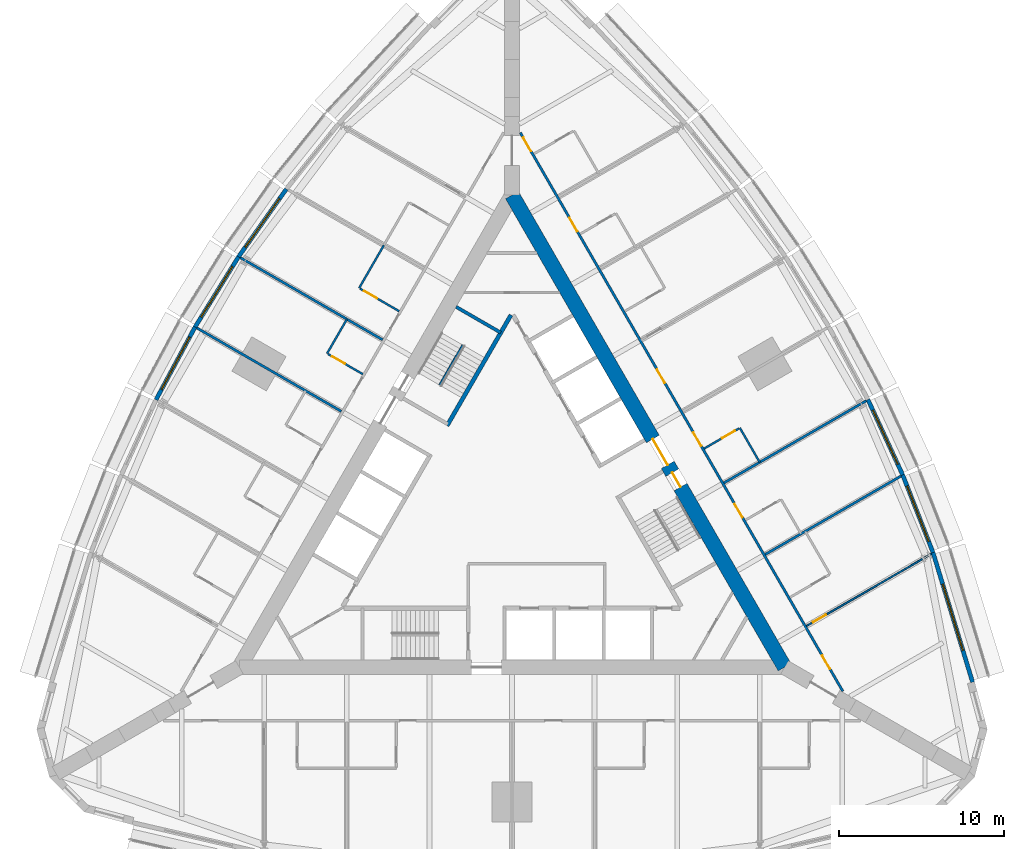
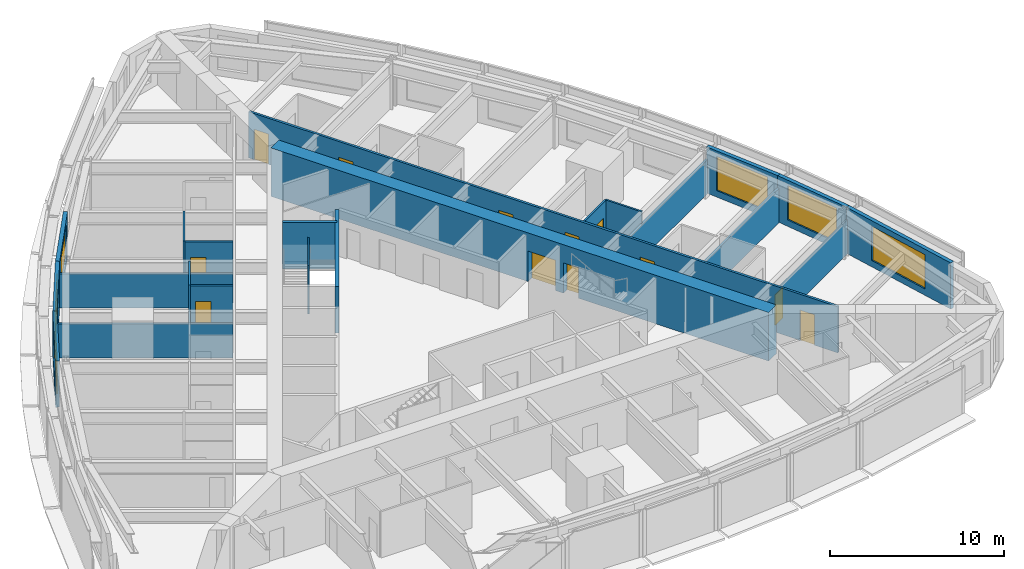
# One storey, part 11 of 14: 22 walls, 12 doors, 6 windows, 18 openings.
"""IFC4 building model written with IfcOpenShell, lengths in metres."""

from ifc_helpers import new_model, si_unit, direction, frame, frame_2d, origin, place, context, subcontext, project, spatial, rectangle, extrude, material, layer, layer_set, type_object, element, fill, save


model = new_model("IFC4")

# Units and contexts
model_context = context("Model", 3, precision=1e-05, world=origin(), true_north=direction((0.0, 1.0)))
body_context = subcontext(model_context, "Body", "Model", "MODEL_VIEW")
ifc_project = project(units=[si_unit("LENGTHUNIT", "METRE"), si_unit("AREAUNIT", "SQUARE_METRE"), si_unit("VOLUMEUNIT", "CUBIC_METRE"), si_unit("PLANEANGLEUNIT", "RADIAN"), si_unit("MASSUNIT", "GRAM", prefix="KILO")], contexts=[model_context])

# Site, building, storey
site_placement = place(None, origin())
site = spatial("IfcSite", under=ifc_project, at=site_placement, CompositionType="ELEMENT")
building_placement = place(site_placement, origin())
building = spatial("IfcBuilding", under=site, at=building_placement, Name="Trikona Tower", CompositionType="ELEMENT")
storey_placement = place(building_placement, frame((0.0, 0.0, 52.300048828125)))
storey = spatial("IfcBuildingStorey", under=building, at=storey_placement, Name="L12", CompositionType="ELEMENT", Elevation=52.300048828125)

# Wall
ifc_material_1 = material(Name="Metal stud and cement board", Category="gypsum")
ifc_layer_1 = layer(ifc_material_1, 0.1201171875)
ifc_layer_set_1 = layer_set([ifc_layer_1], Name="Bathroom wall 120")
wall_type_1 = type_object("IfcWallType", Name="Bathroom wall 120", PredefinedType="PLUMBINGWALL", material=ifc_layer_set_1)
wall_1_placement = place(storey_placement, frame((14.993408203125, 2.883056640625, 0.0), z_axis=(0.0, 0.0, 1.0), x_axis=(-0.500001309137, 0.866024647952, 0.0)))
element("IfcWall", 1, at=wall_1_placement, inside=storey, type_object=wall_type_1, Name="Bathroom wall 1207", PredefinedType="PLUMBINGWALL", context=body_context, shape_type="SweptSolid", body=[
    extrude(rectangle(XDim=2.39990234375, YDim=0.1201171875, at=frame_2d((1.199951171875, 0.0))), origin(), (0.0, 0.0, 1.0), 3.23486328125),
])

# Wall, opening, door
wall_2_placement = place(storey_placement, frame((11.62841796875, 3.71142578125, 0.0), z_axis=(0.0, 0.0, 1.0), x_axis=(0.866048967903, 0.499959183527, 0.0)))
wall_2 = element("IfcWall", 2, at=wall_2_placement, inside=storey, type_object=wall_type_1, Name="Bathroom wall 1207", PredefinedType="PLUMBINGWALL", context=body_context, shape_type="SweptSolid", body=[
    extrude(rectangle(XDim=2.440185546875, YDim=0.1201171875, at=frame_2d((1.22021484375, 0.0))), origin(), (0.0, 0.0, 1.0), 3.23486328125),
])
opening_1_placement = place(wall_2_placement, frame((1.25, 0.0, 0.0)))
opening_1 = element("IfcOpeningElement", 3, at=opening_1_placement, cuts=wall_2, Name="Opening D2", PredefinedType="OPENING", context=body_context, shape_type="SweptSolid", body=[
    extrude(rectangle(XDim=0.89990234375, YDim=2.1298828125, at=frame_2d((0.449951171875, 1.06494140625))), frame((0.0, 0.070068359375, 0.0), z_axis=(0.0, -1.0, 0.0), x_axis=(1.0, 0.0, 0.0)), (0.0, 0.0, 1.0), 0.14013671875),
])
ifc_material_2 = material(Name="Steel door frame with solid-core timber leaf", Category="steel")
door_type_1 = type_object("IfcDoorType", Name="Bathroom door 900x2130", OperationType="SLIDING_TO_LEFT", PredefinedType="DOOR", material=ifc_material_2)
door_1_placement = place(opening_1_placement, origin())
door_1 = element("IfcDoor", 4, at=door_1_placement, inside=storey, type_object=door_type_1, Name="Bathroom door 1207", OperationType="SLIDING_TO_LEFT", OverallHeight=2.1298828125, OverallWidth=0.89990234375, PredefinedType="DOOR", context=body_context, shape_type="SweptSolid", body=[
    extrude(rectangle(XDim=0.89990234375, YDim=2.1298828125, at=frame_2d((0.449951171875, 1.06494140625))), frame((0.0, 0.02490234375, 0.0), z_axis=(0.0, -1.0, 0.0), x_axis=(1.0, 0.0, 0.0)), (0.0, 0.0, 1.0), 0.050048828125),
])
fill(opening_1, door_1)

# Wall
wall_3_placement = place(storey_placement, frame((-7.75341796875, 16.0234375, 0.0), z_axis=(0.0, 0.0, 1.0), x_axis=(-0.499990139034, -0.866031096941, 0.0)))
element("IfcWall", 5, at=wall_3_placement, inside=storey, type_object=wall_type_1, Name="Bathroom wall 1212", PredefinedType="PLUMBINGWALL", context=body_context, shape_type="SweptSolid", body=[
    extrude(rectangle(XDim=3.0, YDim=0.1201171875, at=frame_2d((1.5, 0.0))), origin(), (0.0, 0.0, 1.0), 3.23486328125),
])

# Wall, opening, door
wall_4_placement = place(storey_placement, frame((-6.82861328125, 12.025390625, 0.0), z_axis=(0.0, 0.0, 1.0), x_axis=(-0.866035715982, 0.499982138324, 0.0)))
wall_4 = element("IfcWall", 6, at=wall_4_placement, inside=storey, type_object=wall_type_1, Name="Bathroom wall 1212", PredefinedType="PLUMBINGWALL", context=body_context, shape_type="SweptSolid", body=[
    extrude(rectangle(XDim=2.73974609375, YDim=0.1201171875, at=frame_2d((1.369873046875, 0.0))), origin(), (0.0, 0.0, 1.0), 3.23486328125),
])
opening_2_placement = place(wall_4_placement, frame((1.550048828125, 0.0, 0.0)))
opening_2 = element("IfcOpeningElement", 7, at=opening_2_placement, cuts=wall_4, Name="Opening D2", PredefinedType="OPENING", context=body_context, shape_type="SweptSolid", body=[
    extrude(rectangle(XDim=0.89990234375, YDim=2.1298828125, at=frame_2d((0.449951171875, 1.06494140625))), frame((0.0, 0.070068359375, 0.0), z_axis=(0.0, -1.0, 0.0), x_axis=(1.0, 0.0, 0.0)), (0.0, 0.0, 1.0), 0.14013671875),
])
door_2_placement = place(opening_2_placement, origin())
door_2 = element("IfcDoor", 8, at=door_2_placement, inside=storey, type_object=door_type_1, Name="Bathroom door 1212", OperationType="SLIDING_TO_LEFT", OverallHeight=2.1298828125, OverallWidth=0.89990234375, PredefinedType="DOOR", context=body_context, shape_type="SweptSolid", body=[
    extrude(rectangle(XDim=0.89990234375, YDim=2.1298828125, at=frame_2d((0.449951171875, 1.06494140625))), frame((0.0, 0.02490234375, 0.0), z_axis=(0.0, -1.0, 0.0), x_axis=(1.0, 0.0, 0.0)), (0.0, 0.0, 1.0), 0.050048828125),
])
fill(opening_2, door_2)

# Wall
wall_5_placement = place(storey_placement, frame((-9.993408203125, 11.543212890625, 0.0), z_axis=(0.0, 0.0, 1.0), x_axis=(-0.500077600433, -0.865980596518, 0.0)))
element("IfcWall", 9, at=wall_5_placement, inside=storey, type_object=wall_type_1, Name="Bathroom wall 1213", PredefinedType="PLUMBINGWALL", context=body_context, shape_type="SweptSolid", body=[
    extrude(rectangle(XDim=2.39990234375, YDim=0.1201171875, at=frame_2d((1.199951171875, 0.0))), origin(), (0.0, 0.0, 1.0), 3.23486328125),
])

# Wall, opening, door
wall_6_placement = place(storey_placement, frame((-9.028564453125, 8.21484375, 0.0), z_axis=(0.0, 0.0, 1.0), x_axis=(-0.866023955769, 0.500002508028, 0.0)))
wall_6 = element("IfcWall", 10, at=wall_6_placement, inside=storey, type_object=wall_type_1, Name="Bathroom wall 1213", PredefinedType="PLUMBINGWALL", context=body_context, shape_type="SweptSolid", body=[
    extrude(rectangle(XDim=2.43994140625, YDim=0.1201171875, at=frame_2d((1.219970703125, 0.0))), origin(), (0.0, 0.0, 1.0), 3.23486328125),
])
opening_3_placement = place(wall_6_placement, frame((1.25, 0.0, 0.0)))
opening_3 = element("IfcOpeningElement", 11, at=opening_3_placement, cuts=wall_6, Name="Opening D2", PredefinedType="OPENING", context=body_context, shape_type="SweptSolid", body=[
    extrude(rectangle(XDim=0.89990234375, YDim=2.1298828125, at=frame_2d((0.449951171875, 1.06494140625))), frame((0.0, 0.070068359375, 0.0), z_axis=(0.0, -1.0, 0.0), x_axis=(1.0, 0.0, 0.0)), (0.0, 0.0, 1.0), 0.14013671875),
])
door_3_placement = place(opening_3_placement, origin())
door_3 = element("IfcDoor", 12, at=door_3_placement, inside=storey, type_object=door_type_1, Name="Bathroom door 1213", OperationType="SLIDING_TO_LEFT", OverallHeight=2.1298828125, OverallWidth=0.89990234375, PredefinedType="DOOR", context=body_context, shape_type="SweptSolid", body=[
    extrude(rectangle(XDim=0.89990234375, YDim=2.1298828125, at=frame_2d((0.449951171875, 1.06494140625))), frame((0.0, 0.02490234375, 0.0), z_axis=(0.0, -1.0, 0.0), x_axis=(1.0, 0.0, 0.0)), (0.0, 0.0, 1.0), 0.050048828125),
])
fill(opening_3, door_3)

# Wall, openings, doors
ifc_material_3 = material(Name="Concrete f'c 10000 psi", Category="concrete")
ifc_layer_2 = layer(ifc_material_3, 0.89990234375)
ifc_layer_set_2 = layer_set([ifc_layer_2], Name="Core wall 900")
wall_type_2 = type_object("IfcWallType", Name="Core wall 900", PredefinedType="SHEAR", material=ifc_layer_set_2)
wall_7_placement = place(storey_placement, frame((16.5, -9.5263671875, 0.0), z_axis=(0.0, 0.0, 1.0), x_axis=(-0.499999749417, 0.866025548458, 0.0)))
wall_7 = element("IfcWall", 13, at=wall_7_placement, inside=storey, type_object=wall_type_2, Name="Core wall B", PredefinedType="SHEAR", context=body_context, shape_type="SweptSolid", body=[
    extrude(rectangle(XDim=33.0, YDim=0.89990234375, at=frame_2d((16.5, 0.0))), origin(), (0.0, 0.0, 1.0), 3.39990234375),
])
opening_4_placement = place(wall_7_placement, frame((14.14990234375, 0.0, 0.0)))
opening_4 = element("IfcOpeningElement", 14, at=opening_4_placement, cuts=wall_7, Name="Opening D6", PredefinedType="OPENING", context=body_context, shape_type="SweptSolid", body=[
    extrude(rectangle(XDim=1.800048828125, YDim=2.1298828125, at=frame_2d((0.89990234375, 1.06494140625))), frame((0.0, 0.4599609375, 0.0), z_axis=(0.0, -1.0, 0.0), x_axis=(1.0, 0.0, 0.0)), (0.0, 0.0, 1.0), 0.919921875),
])
opening_5_placement = place(wall_7_placement, frame((12.60009765625, 0.0, 0.0)))
opening_5 = element("IfcOpeningElement", 15, at=opening_5_placement, cuts=wall_7, Name="Opening D5", PredefinedType="OPENING", context=body_context, shape_type="SweptSolid", body=[
    extrude(rectangle(XDim=1.0, YDim=2.1298828125, at=frame_2d((0.5, 1.06494140625))), frame((0.0, 0.4599609375, 0.0), z_axis=(0.0, -1.0, 0.0), x_axis=(1.0, 0.0, 0.0)), (0.0, 0.0, 1.0), 0.919921875),
])
ifc_material_4 = material(Name="Hollow metal door and frame", Category="steel")
door_type_2 = type_object("IfcDoorType", Name="Lobby door pair 1800x2130", OperationType="DOUBLE_DOOR_SINGLE_SWING", PredefinedType="DOOR", material=ifc_material_4)
door_4_placement = place(opening_4_placement, origin())
door_4 = element("IfcDoor", 16, at=door_4_placement, inside=storey, type_object=door_type_2, Name="Lift lobby door B", OperationType="DOUBLE_DOOR_SINGLE_SWING", OverallHeight=2.1298828125, OverallWidth=1.800048828125, PredefinedType="DOOR", context=body_context, shape_type="SweptSolid", body=[
    extrude(rectangle(XDim=1.800048828125, YDim=2.1298828125, at=frame_2d((0.89990234375, 1.06494140625))), frame((0.0, 0.02490234375, 0.0), z_axis=(0.0, -1.0, 0.0), x_axis=(1.0, 0.0, 0.0)), (0.0, 0.0, 1.0), 0.050048828125),
])
fill(opening_4, door_4)
ifc_material_5 = material(Name="Hollow metal door and frame", Category="steel")
door_type_3 = type_object("IfcDoorType", Name="Stair door 1000x2130", OperationType="SINGLE_SWING_LEFT", PredefinedType="DOOR", material=ifc_material_5)
door_5_placement = place(opening_5_placement, origin())
door_5 = element("IfcDoor", 17, at=door_5_placement, inside=storey, type_object=door_type_3, Name="Stair B door", OperationType="SINGLE_SWING_RIGHT", OverallHeight=2.1298828125, OverallWidth=1.0, PredefinedType="DOOR", context=body_context, shape_type="SweptSolid", body=[
    extrude(rectangle(XDim=1.0, YDim=2.1298828125, at=frame_2d((0.5, 1.06494140625))), frame((0.0, 0.02490234375, 0.0), z_axis=(0.0, -1.0, 0.0), x_axis=(1.0, 0.0, 0.0)), (0.0, 0.0, 1.0), 0.050048828125),
])
fill(opening_5, door_5)

ifc_material_6 = material(Name="Metal stud and gypsum board, 1-hour", Category="gypsum")
ifc_layer_3 = layer(ifc_material_6, 0.14990234375)
ifc_layer_set_3 = layer_set([ifc_layer_3], Name="Corridor wall 150")
wall_type_3 = type_object("IfcWallType", Name="Corridor wall 150", PredefinedType="PARTITIONING", material=ifc_layer_set_3)
wall_8_placement = place(storey_placement, frame((20.027099609375, -10.9853515625, 0.0), z_axis=(0.0, 0.0, 1.0), x_axis=(-0.500001677587, 0.866024435227, 0.0)))
wall_8 = element("IfcWall", 18, at=wall_8_placement, inside=storey, type_object=wall_type_3, Name="Corridor wall L12-2", PredefinedType="PARTITIONING", context=body_context, shape_type="SweptSolid", body=[
    extrude(rectangle(XDim=39.053955078125, YDim=0.14990234375, at=frame_2d((19.52685546875, 0.0))), origin(), (0.0, 0.0, 1.0), 3.23486328125),
])
opening_6_placement = place(wall_8_placement, frame((1.558349609375, 0.0, 0.0)))
opening_6 = element("IfcOpeningElement", 19, at=opening_6_placement, cuts=wall_8, Name="Opening D1", PredefinedType="OPENING", context=body_context, shape_type="SweptSolid", body=[
    extrude(rectangle(XDim=0.949951171875, YDim=2.1298828125, at=frame_2d((0.47509765625, 1.06494140625))), frame((0.0, 0.0849609375, 0.0), z_axis=(0.0, -1.0, 0.0), x_axis=(1.0, 0.0, 0.0)), (0.0, 0.0, 1.0), 0.169921875),
])
opening_7_placement = place(wall_8_placement, frame((12.152099609375, 0.0, 0.0)))
opening_7 = element("IfcOpeningElement", 20, at=opening_7_placement, cuts=wall_8, Name="Opening D1", PredefinedType="OPENING", context=body_context, shape_type="SweptSolid", body=[
    extrude(rectangle(XDim=0.949951171875, YDim=2.1298828125, at=frame_2d((0.47509765625, 1.06494140625))), frame((0.0, 0.0849609375, 0.0), z_axis=(0.0, -1.0, 0.0), x_axis=(1.0, 0.0, 0.0)), (0.0, 0.0, 1.0), 0.169921875),
])
opening_8_placement = place(wall_8_placement, frame((17.152099609375, 0.0, 0.0)))
opening_8 = element("IfcOpeningElement", 21, at=opening_8_placement, cuts=wall_8, Name="Opening D1", PredefinedType="OPENING", context=body_context, shape_type="SweptSolid", body=[
    extrude(rectangle(XDim=0.949951171875, YDim=2.1298828125, at=frame_2d((0.47509765625, 1.06494140625))), frame((0.0, 0.0849609375, 0.0), z_axis=(0.0, -1.0, 0.0), x_axis=(1.0, 0.0, 0.0)), (0.0, 0.0, 1.0), 0.169921875),
])
opening_9_placement = place(wall_8_placement, frame((21.552001953125, 0.0, 0.0)))
opening_9 = element("IfcOpeningElement", 22, at=opening_9_placement, cuts=wall_8, Name="Opening D1", PredefinedType="OPENING", context=body_context, shape_type="SweptSolid", body=[
    extrude(rectangle(XDim=0.949951171875, YDim=2.1298828125, at=frame_2d((0.47509765625, 1.06494140625))), frame((0.0, 0.0849609375, 0.0), z_axis=(0.0, -1.0, 0.0), x_axis=(1.0, 0.0, 0.0)), (0.0, 0.0, 1.0), 0.169921875),
])
opening_10_placement = place(wall_8_placement, frame((32.152099609375, 0.0, 0.0)))
opening_10 = element("IfcOpeningElement", 23, at=opening_10_placement, cuts=wall_8, Name="Opening D1", PredefinedType="OPENING", context=body_context, shape_type="SweptSolid", body=[
    extrude(rectangle(XDim=0.949951171875, YDim=2.1298828125, at=frame_2d((0.47509765625, 1.06494140625))), frame((0.0, 0.0849609375, 0.0), z_axis=(0.0, -1.0, 0.0), x_axis=(1.0, 0.0, 0.0)), (0.0, 0.0, 1.0), 0.169921875),
])
opening_11_placement = place(wall_8_placement, frame((37.751953125, 0.0, 0.0)))
opening_11 = element("IfcOpeningElement", 24, at=opening_11_placement, cuts=wall_8, Name="Opening D1", PredefinedType="OPENING", context=body_context, shape_type="SweptSolid", body=[
    extrude(rectangle(XDim=0.949951171875, YDim=2.1298828125, at=frame_2d((0.47509765625, 1.06494140625))), frame((0.0, 0.0849609375, 0.0), z_axis=(0.0, -1.0, 0.0), x_axis=(1.0, 0.0, 0.0)), (0.0, 0.0, 1.0), 0.169921875),
])
ifc_material_7 = material(Name="Steel door frame with solid-core timber leaf", Category="steel")
door_type_4 = type_object("IfcDoorType", Name="Guest room door 950x2130", OperationType="SINGLE_SWING_LEFT", PredefinedType="DOOR", material=ifc_material_7)
door_6_placement = place(opening_6_placement, origin())
door_6 = element("IfcDoor", 25, at=door_6_placement, inside=storey, type_object=door_type_4, Name="Room door 1205", OperationType="SINGLE_SWING_LEFT", OverallHeight=2.1298828125, OverallWidth=0.949951171875, PredefinedType="DOOR", context=body_context, shape_type="SweptSolid", body=[
    extrude(rectangle(XDim=0.949951171875, YDim=2.1298828125, at=frame_2d((0.47509765625, 1.06494140625))), frame((0.0, 0.02490234375, 0.0), z_axis=(0.0, -1.0, 0.0), x_axis=(1.0, 0.0, 0.0)), (0.0, 0.0, 1.0), 0.050048828125),
])
fill(opening_6, door_6)
door_7_placement = place(opening_7_placement, origin())
door_7 = element("IfcDoor", 26, at=door_7_placement, inside=storey, type_object=door_type_4, Name="Room door 1206", OperationType="SINGLE_SWING_RIGHT", OverallHeight=2.1298828125, OverallWidth=0.949951171875, PredefinedType="DOOR", context=body_context, shape_type="SweptSolid", body=[
    extrude(rectangle(XDim=0.949951171875, YDim=2.1298828125, at=frame_2d((0.47509765625, 1.06494140625))), frame((0.0, 0.02490234375, 0.0), z_axis=(0.0, -1.0, 0.0), x_axis=(1.0, 0.0, 0.0)), (0.0, 0.0, 1.0), 0.050048828125),
])
fill(opening_7, door_7)
door_8_placement = place(opening_8_placement, origin())
door_8 = element("IfcDoor", 27, at=door_8_placement, inside=storey, type_object=door_type_4, Name="Room door 1207", OperationType="SINGLE_SWING_LEFT", OverallHeight=2.1298828125, OverallWidth=0.949951171875, PredefinedType="DOOR", context=body_context, shape_type="SweptSolid", body=[
    extrude(rectangle(XDim=0.949951171875, YDim=2.1298828125, at=frame_2d((0.47509765625, 1.06494140625))), frame((0.0, 0.02490234375, 0.0), z_axis=(0.0, -1.0, 0.0), x_axis=(1.0, 0.0, 0.0)), (0.0, 0.0, 1.0), 0.050048828125),
])
fill(opening_8, door_8)
door_9_placement = place(opening_9_placement, origin())
door_9 = element("IfcDoor", 28, at=door_9_placement, inside=storey, type_object=door_type_4, Name="Room door 1208", OperationType="SINGLE_SWING_RIGHT", OverallHeight=2.1298828125, OverallWidth=0.949951171875, PredefinedType="DOOR", context=body_context, shape_type="SweptSolid", body=[
    extrude(rectangle(XDim=0.949951171875, YDim=2.1298828125, at=frame_2d((0.47509765625, 1.06494140625))), frame((0.0, 0.02490234375, 0.0), z_axis=(0.0, -1.0, 0.0), x_axis=(1.0, 0.0, 0.0)), (0.0, 0.0, 1.0), 0.050048828125),
])
fill(opening_9, door_9)
door_10_placement = place(opening_10_placement, origin())
door_10 = element("IfcDoor", 29, at=door_10_placement, inside=storey, type_object=door_type_4, Name="Room door 1209", OperationType="SINGLE_SWING_LEFT", OverallHeight=2.1298828125, OverallWidth=0.949951171875, PredefinedType="DOOR", context=body_context, shape_type="SweptSolid", body=[
    extrude(rectangle(XDim=0.949951171875, YDim=2.1298828125, at=frame_2d((0.47509765625, 1.06494140625))), frame((0.0, 0.02490234375, 0.0), z_axis=(0.0, -1.0, 0.0), x_axis=(1.0, 0.0, 0.0)), (0.0, 0.0, 1.0), 0.050048828125),
])
fill(opening_10, door_10)
door_11_placement = place(opening_11_placement, origin())
door_11 = element("IfcDoor", 30, at=door_11_placement, inside=storey, type_object=door_type_4, Name="Room door 1210", OperationType="SINGLE_SWING_RIGHT", OverallHeight=2.1298828125, OverallWidth=0.949951171875, PredefinedType="DOOR", context=body_context, shape_type="SweptSolid", body=[
    extrude(rectangle(XDim=0.949951171875, YDim=2.1298828125, at=frame_2d((0.47509765625, 1.06494140625))), frame((0.0, 0.02490234375, 0.0), z_axis=(0.0, -1.0, 0.0), x_axis=(1.0, 0.0, 0.0)), (0.0, 0.0, 1.0), 0.050048828125),
])
fill(opening_11, door_11)

# Wall
ifc_material_8 = material(Name="Concrete f'c 8000 psi", Category="concrete")
ifc_layer_4 = layer(ifc_material_8, 0.25)
ifc_layer_set_4 = layer_set([ifc_layer_4], Name="Hub wall 250")
wall_type_4 = type_object("IfcWallType", Name="Hub wall 250", PredefinedType="SOLIDWALL", material=ifc_layer_set_4)
wall_9_placement = place(storey_placement, frame((-0.0625, 11.794189453125, 0.0), z_axis=(0.0, 0.0, 1.0), x_axis=(-0.500006680225, -0.86602154692, 0.0)))
element("IfcWall", 31, at=wall_9_placement, inside=storey, type_object=wall_type_4, Name="Lift lobby wall C1", PredefinedType="SOLIDWALL", context=body_context, shape_type="SweptSolid", body=[
    extrude(rectangle(XDim=7.73291015625, YDim=0.25, at=frame_2d((3.866455078125, 0.0))), origin(), (0.0, 0.0, 1.0), 3.23486328125),
])

# Wall, opening, window
ifc_material_9 = material(Name="Insulated precast concrete spandrel panel", Category="concrete")
ifc_layer_5 = layer(ifc_material_9, 0.25)
ifc_layer_set_5 = layer_set([ifc_layer_5], Name="Inner skin wall 250")
wall_type_5 = type_object("IfcWallType", Name="Inner skin wall 250", PredefinedType="STANDARD", material=ifc_layer_set_5)
wall_10_placement = place(storey_placement, frame((27.88037109375, -10.4287109375, 0.0), z_axis=(0.0, 0.0, 1.0), x_axis=(-0.2919790669, 0.956424709265, 0.0)))
wall_10 = element("IfcWall", 32, at=wall_10_placement, inside=storey, type_object=wall_type_5, Name="External wall L12-12", PredefinedType="STANDARD", context=body_context, shape_type="SweptSolid", body=[
    extrude(rectangle(XDim=8.211181640625, YDim=0.25, at=frame_2d((4.10546875, 0.0))), origin(), (0.0, 0.0, 1.0), 3.23486328125),
])
opening_12_placement = place(wall_10_placement, frame((2.005615234375, 0.0, 0.449951171875)))
opening_12 = element("IfcOpeningElement", 33, at=opening_12_placement, cuts=wall_10, Name="Opening W4224", PredefinedType="OPENING", context=body_context, shape_type="SweptSolid", body=[
    extrude(rectangle(XDim=4.199951171875, YDim=2.39990234375, at=frame_2d((2.10009765625, 1.199951171875))), frame((0.0, 0.135009765625, 0.0), z_axis=(0.0, -1.0, 0.0), x_axis=(1.0, 0.0, 0.0)), (0.0, 0.0, 1.0), 0.27001953125),
])
ifc_material_10 = material(Name="Aluminium-framed double glazing", Category="aluminium")
window_type_1 = type_object("IfcWindowType", Name="Window 4200x2400", PartitioningType="SINGLE_PANEL", PredefinedType="WINDOW", material=ifc_material_10)
window_1_placement = place(opening_12_placement, origin())
window_1 = element("IfcWindow", 34, at=window_1_placement, inside=storey, type_object=window_type_1, Name="Window 1205", OverallHeight=2.39990234375, OverallWidth=4.199951171875, PartitioningType="SINGLE_PANEL", PredefinedType="WINDOW", context=body_context, shape_type="SweptSolid", body=[
    extrude(rectangle(XDim=4.199951171875, YDim=2.39990234375, at=frame_2d((2.10009765625, 1.199951171875))), frame((0.0, 0.030029296875, 0.0), z_axis=(0.0, -1.0, 0.0), x_axis=(1.0, 0.0, 0.0)), (0.0, 0.0, 1.0), 0.06005859375),
])
fill(opening_12, window_1)

wall_11_placement = place(storey_placement, frame((25.486083984375, -2.58447265625, 0.0), z_axis=(0.0, 0.0, 1.0), x_axis=(-0.364013463868, 0.931393685894, 0.0)))
wall_11 = element("IfcWall", 35, at=wall_11_placement, inside=storey, type_object=wall_type_5, Name="External wall L12-13", PredefinedType="STANDARD", context=body_context, shape_type="SweptSolid", body=[
    extrude(rectangle(XDim=5.0576171875, YDim=0.25, at=frame_2d((2.52880859375, 0.0))), origin(), (0.0, 0.0, 1.0), 3.23486328125),
])
opening_13_placement = place(wall_11_placement, frame((0.728759765625, 0.0, 0.449951171875)))
opening_13 = element("IfcOpeningElement", 36, at=opening_13_placement, cuts=wall_11, Name="Opening W3624", PredefinedType="OPENING", context=body_context, shape_type="SweptSolid", body=[
    extrude(rectangle(XDim=3.60009765625, YDim=2.39990234375, at=frame_2d((1.800048828125, 1.199951171875))), frame((0.0, 0.135009765625, 0.0), z_axis=(0.0, -1.0, 0.0), x_axis=(1.0, 0.0, 0.0)), (0.0, 0.0, 1.0), 0.27001953125),
])
ifc_material_11 = material(Name="Aluminium-framed double glazing", Category="aluminium")
window_type_2 = type_object("IfcWindowType", Name="Window 3600x2400", PartitioningType="SINGLE_PANEL", PredefinedType="WINDOW", material=ifc_material_11)
window_2_placement = place(opening_13_placement, origin())
window_2 = element("IfcWindow", 37, at=window_2_placement, inside=storey, type_object=window_type_2, Name="Window 1205.1", OverallHeight=2.39990234375, OverallWidth=3.60009765625, PartitioningType="SINGLE_PANEL", PredefinedType="WINDOW", context=body_context, shape_type="SweptSolid", body=[
    extrude(rectangle(XDim=3.60009765625, YDim=2.39990234375, at=frame_2d((1.800048828125, 1.199951171875))), frame((0.0, 0.030029296875, 0.0), z_axis=(0.0, -1.0, 0.0), x_axis=(1.0, 0.0, 0.0)), (0.0, 0.0, 1.0), 0.06005859375),
])
fill(opening_13, window_2)

wall_12_placement = place(storey_placement, frame((23.64794921875, 2.119384765625, 0.0), z_axis=(0.0, 0.0, 1.0), x_axis=(-0.419203100754, 0.907892482796, 0.0)))
wall_12 = element("IfcWall", 38, at=wall_12_placement, inside=storey, type_object=wall_type_5, Name="External wall L12-14", PredefinedType="STANDARD", context=body_context, shape_type="SweptSolid", body=[
    extrude(rectangle(XDim=5.020751953125, YDim=0.25, at=frame_2d((2.51025390625, 0.0))), origin(), (0.0, 0.0, 1.0), 3.23486328125),
])
opening_14_placement = place(wall_12_placement, frame((0.71044921875, 0.0, 0.449951171875)))
opening_14 = element("IfcOpeningElement", 39, at=opening_14_placement, cuts=wall_12, Name="Opening W3624", PredefinedType="OPENING", context=body_context, shape_type="SweptSolid", body=[
    extrude(rectangle(XDim=3.60009765625, YDim=2.39990234375, at=frame_2d((1.800048828125, 1.199951171875))), frame((0.0, 0.135009765625, 0.0), z_axis=(0.0, -1.0, 0.0), x_axis=(1.0, 0.0, 0.0)), (0.0, 0.0, 1.0), 0.27001953125),
])
window_3_placement = place(opening_14_placement, origin())
window_3 = element("IfcWindow", 40, at=window_3_placement, inside=storey, type_object=window_type_2, Name="Window 1206", OverallHeight=2.39990234375, OverallWidth=3.60009765625, PartitioningType="SINGLE_PANEL", PredefinedType="WINDOW", context=body_context, shape_type="SweptSolid", body=[
    extrude(rectangle(XDim=3.60009765625, YDim=2.39990234375, at=frame_2d((1.800048828125, 1.199951171875))), frame((0.0, 0.030029296875, 0.0), z_axis=(0.0, -1.0, 0.0), x_axis=(1.0, 0.0, 0.0)), (0.0, 0.0, 1.0), 0.06005859375),
])
fill(opening_14, window_3)

wall_13_placement = place(storey_placement, frame((-13.659423828125, 19.420166015625, 0.0), z_axis=(0.0, 0.0, 1.0), x_axis=(-0.5766431066, -0.81699616132, 0.0)))
wall_13 = element("IfcWall", 41, at=wall_13_placement, inside=storey, type_object=wall_type_5, Name="External wall L12-26", PredefinedType="STANDARD", context=body_context, shape_type="SweptSolid", body=[
    extrude(rectangle(XDim=5.02099609375, YDim=0.25, at=frame_2d((2.510498046875, 0.0))), origin(), (0.0, 0.0, 1.0), 3.23486328125),
])
opening_15_placement = place(wall_13_placement, frame((0.71044921875, 0.0, 0.449951171875)))
opening_15 = element("IfcOpeningElement", 42, at=opening_15_placement, cuts=wall_13, Name="Opening W3624", PredefinedType="OPENING", context=body_context, shape_type="SweptSolid", body=[
    extrude(rectangle(XDim=3.60009765625, YDim=2.39990234375, at=frame_2d((1.800048828125, 1.199951171875))), frame((0.0, 0.135009765625, 0.0), z_axis=(0.0, -1.0, 0.0), x_axis=(1.0, 0.0, 0.0)), (0.0, 0.0, 1.0), 0.27001953125),
])
window_4_placement = place(opening_15_placement, origin())
window_4 = element("IfcWindow", 43, at=window_4_placement, inside=storey, type_object=window_type_2, Name="Window 1212", OverallHeight=2.39990234375, OverallWidth=3.60009765625, PartitioningType="SINGLE_PANEL", PredefinedType="WINDOW", context=body_context, shape_type="SweptSolid", body=[
    extrude(rectangle(XDim=3.60009765625, YDim=2.39990234375, at=frame_2d((1.800048828125, 1.199951171875))), frame((0.0, 0.030029296875, 0.0), z_axis=(0.0, -1.0, 0.0), x_axis=(1.0, 0.0, 0.0)), (0.0, 0.0, 1.0), 0.06005859375),
])
fill(opening_15, window_4)

wall_14_placement = place(storey_placement, frame((-16.550537109375, 15.324462890625, 0.0), z_axis=(0.0, 0.0, 1.0), x_axis=(-0.526132807704, -0.850402415717, 0.0)))
wall_14 = element("IfcWall", 44, at=wall_14_placement, inside=storey, type_object=wall_type_5, Name="External wall L12-27", PredefinedType="STANDARD", context=body_context, shape_type="SweptSolid", body=[
    extrude(rectangle(XDim=5.002197265625, YDim=0.25, at=frame_2d((2.5009765625, 0.0))), origin(), (0.0, 0.0, 1.0), 3.23486328125),
])
opening_16_placement = place(wall_14_placement, frame((0.701171875, 0.0, 0.449951171875)))
opening_16 = element("IfcOpeningElement", 45, at=opening_16_placement, cuts=wall_14, Name="Opening W3624", PredefinedType="OPENING", context=body_context, shape_type="SweptSolid", body=[
    extrude(rectangle(XDim=3.60009765625, YDim=2.39990234375, at=frame_2d((1.800048828125, 1.199951171875))), frame((0.0, 0.135009765625, 0.0), z_axis=(0.0, -1.0, 0.0), x_axis=(1.0, 0.0, 0.0)), (0.0, 0.0, 1.0), 0.27001953125),
])
window_5_placement = place(opening_16_placement, origin())
window_5 = element("IfcWindow", 46, at=window_5_placement, inside=storey, type_object=window_type_2, Name="Window 1213", OverallHeight=2.39990234375, OverallWidth=3.60009765625, PartitioningType="SINGLE_PANEL", PredefinedType="WINDOW", context=body_context, shape_type="SweptSolid", body=[
    extrude(rectangle(XDim=3.60009765625, YDim=2.39990234375, at=frame_2d((1.800048828125, 1.199951171875))), frame((0.0, 0.030029296875, 0.0), z_axis=(0.0, -1.0, 0.0), x_axis=(1.0, 0.0, 0.0)), (0.0, 0.0, 1.0), 0.06005859375),
])
fill(opening_16, window_5)

wall_15_placement = place(storey_placement, frame((-19.178466796875, 11.0771484375, 0.0), z_axis=(0.0, 0.0, 1.0), x_axis=(-0.473412820489, -0.880840678782, 0.0)))
wall_15 = element("IfcWall", 47, at=wall_15_placement, inside=storey, type_object=wall_type_5, Name="External wall L12-28", PredefinedType="STANDARD", context=body_context, shape_type="SweptSolid", body=[
    extrude(rectangle(XDim=5.00244140625, YDim=0.25, at=frame_2d((2.501220703125, 0.0))), origin(), (0.0, 0.0, 1.0), 3.23486328125),
])
opening_17_placement = place(wall_15_placement, frame((0.701171875, 0.0, 0.449951171875)))
opening_17 = element("IfcOpeningElement", 48, at=opening_17_placement, cuts=wall_15, Name="Opening W3624", PredefinedType="OPENING", context=body_context, shape_type="SweptSolid", body=[
    extrude(rectangle(XDim=3.60009765625, YDim=2.39990234375, at=frame_2d((1.800048828125, 1.199951171875))), frame((0.0, 0.135009765625, 0.0), z_axis=(0.0, -1.0, 0.0), x_axis=(1.0, 0.0, 0.0)), (0.0, 0.0, 1.0), 0.27001953125),
])
window_6_placement = place(opening_17_placement, origin())
window_6 = element("IfcWindow", 49, at=window_6_placement, inside=storey, type_object=window_type_2, Name="Window 1214", OverallHeight=2.39990234375, OverallWidth=3.60009765625, PartitioningType="SINGLE_PANEL", PredefinedType="WINDOW", context=body_context, shape_type="SweptSolid", body=[
    extrude(rectangle(XDim=3.60009765625, YDim=2.39990234375, at=frame_2d((1.800048828125, 1.199951171875))), frame((0.0, 0.030029296875, 0.0), z_axis=(0.0, -1.0, 0.0), x_axis=(1.0, 0.0, 0.0)), (0.0, 0.0, 1.0), 0.06005859375),
])
fill(opening_17, window_6)

# Walls
ifc_material_12 = material(Name="Metal stud and gypsum board, 1-hour acoustic", Category="gypsum")
ifc_layer_6 = layer(ifc_material_12, 0.14990234375)
ifc_layer_set_6 = layer_set([ifc_layer_6], Name="Party wall 150")
wall_type_6 = type_object("IfcWallType", Name="Party wall 150", PredefinedType="PARTITIONING", material=ifc_layer_set_6)
wall_16_placement = place(storey_placement, frame((15.32861328125, -2.697021484375, 0.0), z_axis=(0.0, 0.0, 1.0), x_axis=(0.866018409083, 0.500012114982, 0.0)))
element("IfcWall", 50, at=wall_16_placement, inside=storey, type_object=wall_type_6, Name="Partition L12 F2 u-10", PredefinedType="PARTITIONING", context=body_context, shape_type="SweptSolid", body=[
    extrude(rectangle(XDim=9.484619140625, YDim=0.14990234375, at=frame_2d((4.7421875, 0.0))), origin(), (0.0, 0.0, 1.0), 2.38916015625),
])
wall_17_placement = place(storey_placement, frame((12.82861328125, 1.633056640625, 0.0), z_axis=(0.0, 0.0, 1.0), x_axis=(0.866026934769, 0.499997348248, 0.0)))
element("IfcWall", 51, at=wall_17_placement, inside=storey, type_object=wall_type_6, Name="Partition L12 F2 u-5", PredefinedType="PARTITIONING", context=body_context, shape_type="SweptSolid", body=[
    extrude(rectangle(XDim=9.94287109375, YDim=0.14990234375, at=frame_2d((4.971435546875, 0.0))), origin(), (0.0, 0.0, 1.0), 2.38916015625),
])
wall_18_placement = place(storey_placement, frame((-7.82861328125, 10.293212890625, 0.0), z_axis=(0.0, 0.0, 1.0), x_axis=(-0.866016302457, 0.50001576363, 0.0)))
element("IfcWall", 52, at=wall_18_placement, inside=storey, type_object=wall_type_6, Name="Partition L12 F3 u-5", PredefinedType="PARTITIONING", context=body_context, shape_type="SweptSolid", body=[
    extrude(rectangle(XDim=9.943115234375, YDim=0.14990234375, at=frame_2d((4.9716796875, 0.0))), origin(), (0.0, 0.0, 1.0), 2.38916015625),
])
wall_19_placement = place(storey_placement, frame((-10.32861328125, 5.963134765625, 0.0), z_axis=(0.0, 0.0, 1.0), x_axis=(-0.866021688545, 0.500006434927, 0.0)))
element("IfcWall", 53, at=wall_19_placement, inside=storey, type_object=wall_type_6, Name="Partition L12 F3 u-5.10703e-15", PredefinedType="PARTITIONING", context=body_context, shape_type="SweptSolid", body=[
    extrude(rectangle(XDim=10.095947265625, YDim=0.14990234375, at=frame_2d((5.0478515625, 0.0))), origin(), (0.0, 0.0, 1.0), 2.38916015625),
])
ifc_material_13 = material(Name="Concrete f'c 8000 psi", Category="concrete")
ifc_layer_7 = layer(ifc_material_13, 0.199951171875)
ifc_layer_set_7 = layer_set([ifc_layer_7], Name="Shaft wall 200 load-bearing")
wall_type_7 = type_object("IfcWallType", Name="Shaft wall 200 load-bearing", PredefinedType="SOLIDWALL", material=ifc_layer_set_7)
wall_20_placement = place(storey_placement, frame((-0.678955078125, 10.7265625, 0.0), z_axis=(0.0, 0.0, 1.0), x_axis=(-0.866022959057, 0.500004234368, 0.0)))
element("IfcWall", 54, at=wall_20_placement, inside=storey, type_object=wall_type_7, Name="Shaft wall C1", PredefinedType="SOLIDWALL", context=body_context, shape_type="SweptSolid", body=[
    extrude(rectangle(XDim=3.125, YDim=0.199951171875, at=frame_2d((1.5625, 0.0))), origin(), (0.0, 0.0, 1.0), 3.23486328125),
])
ifc_material_14 = material(Name="Concrete f'c 5000 psi", Category="concrete")
ifc_layer_8 = layer(ifc_material_14, 0.10009765625)
ifc_layer_set_8 = layer_set([ifc_layer_8], Name="Stair spine wall 100")
wall_type_8 = type_object("IfcWallType", Name="Stair spine wall 100", PredefinedType="SOLIDWALL", material=ifc_layer_set_8)
wall_21_placement = place(storey_placement, frame((-2.98779296875, 9.9775390625, 0.0), z_axis=(0.0, 0.0, 1.0), x_axis=(-0.499992232847, -0.866029888106, 0.0)))
element("IfcWall", 55, at=wall_21_placement, inside=storey, type_object=wall_type_8, Name="Stair C spine wall L12", PredefinedType="SOLIDWALL", context=body_context, shape_type="SweptSolid", body=[
    extrude(rectangle(XDim=2.7939453125, YDim=0.10009765625, at=frame_2d((1.39697265625, 0.0))), origin(), (0.0, 0.0, 1.0), 3.39990234375),
])

# Wall, opening, door
ifc_material_15 = material(Name="Metal stud and gypsum board, acoustic", Category="gypsum")
ifc_layer_9 = layer(ifc_material_15, 0.10009765625)
ifc_layer_set_9 = layer_set([ifc_layer_9], Name="Suite partition 100")
wall_type_9 = type_object("IfcWallType", Name="Suite partition 100", PredefinedType="PARTITIONING", material=ifc_layer_set_9)
wall_22_placement = place(storey_placement, frame((17.82861328125, -7.027099609375, 0.0), z_axis=(0.0, 0.0, 1.0), x_axis=(0.866032659912, 0.499987431809, 0.0)))
wall_22 = element("IfcWall", 56, at=wall_22_placement, inside=storey, type_object=wall_type_9, Name="Suite partition L12 F2 u-15", PredefinedType="PARTITIONING", context=body_context, shape_type="SweptSolid", body=[
    extrude(rectangle(XDim=8.719970703125, YDim=0.10009765625, at=frame_2d((4.35986328125, 0.0))), origin(), (0.0, 0.0, 1.0), 2.38916015625),
])
opening_18_placement = place(wall_22_placement, frame((0.449951171875, 0.0, 0.0)))
opening_18 = element("IfcOpeningElement", 57, at=opening_18_placement, cuts=wall_22, Name="Opening D13", PredefinedType="OPENING", context=body_context, shape_type="SweptSolid", body=[
    extrude(rectangle(XDim=0.89990234375, YDim=2.1298828125, at=frame_2d((0.449951171875, 1.06494140625))), frame((0.0, 0.06005859375, 0.0), z_axis=(0.0, -1.0, 0.0), x_axis=(1.0, 0.0, 0.0)), (0.0, 0.0, 1.0), 0.1201171875),
])
ifc_material_16 = material(Name="Steel door frame with solid-core timber leaf", Category="steel")
door_type_5 = type_object("IfcDoorType", Name="Suite door 900x2130", OperationType="SINGLE_SWING_LEFT", PredefinedType="DOOR", material=ifc_material_16)
door_12_placement = place(opening_18_placement, origin())
door_12 = element("IfcDoor", 58, at=door_12_placement, inside=storey, type_object=door_type_5, Name="Suite door 1205", OperationType="SINGLE_SWING_LEFT", OverallHeight=2.1298828125, OverallWidth=0.89990234375, PredefinedType="DOOR", context=body_context, shape_type="SweptSolid", body=[
    extrude(rectangle(XDim=0.89990234375, YDim=2.1298828125, at=frame_2d((0.449951171875, 1.06494140625))), frame((0.0, 0.02490234375, 0.0), z_axis=(0.0, -1.0, 0.0), x_axis=(1.0, 0.0, 0.0)), (0.0, 0.0, 1.0), 0.050048828125),
])
fill(opening_18, door_12)

save(model, "model.ifc")
